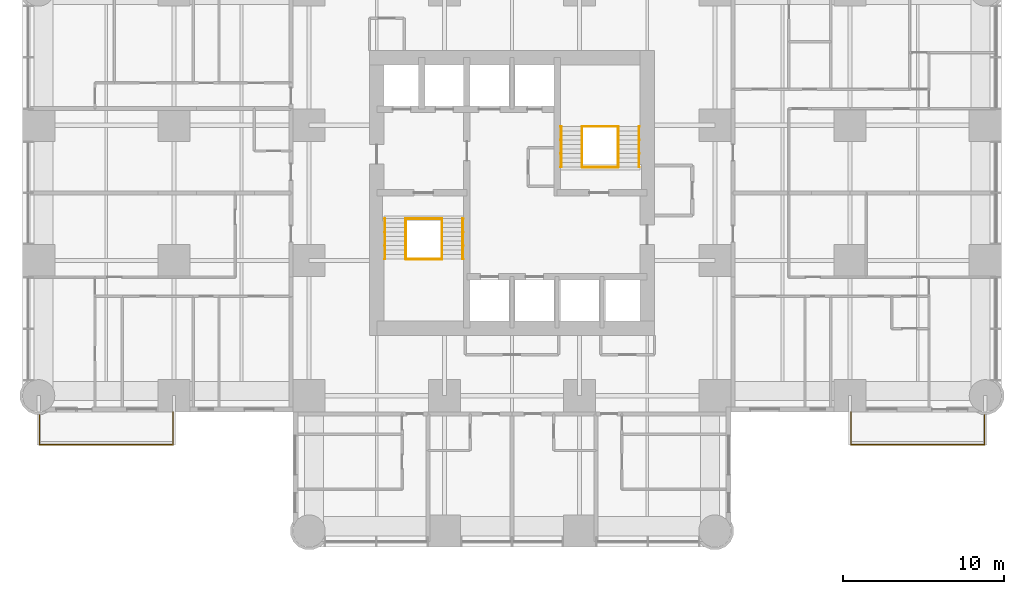
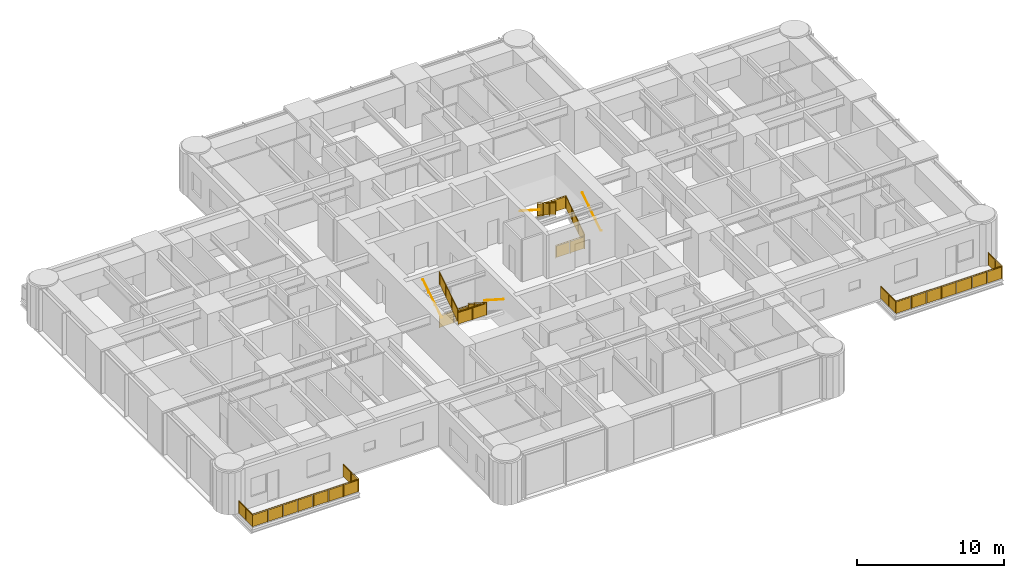
# One storey, part 13 of 14: 14 railings.
"""IFC4 building model written with IfcOpenShell, lengths in metres."""

from ifc_helpers import new_model, si_unit, direction, frame, origin, origin_2d, place, context, subcontext, project, spatial, polyline, circle, outline, extrude, material, constituent, constituent_set, type_object, element, save


model = new_model("IFC4")

# Units and contexts
model_context = context("Model", 3, precision=1e-05, world=origin(), true_north=direction((0.0, 1.0)))
body_context = subcontext(model_context, "Body", "Model", "MODEL_VIEW")
ifc_project = project(units=[si_unit("LENGTHUNIT", "METRE"), si_unit("AREAUNIT", "SQUARE_METRE"), si_unit("VOLUMEUNIT", "CUBIC_METRE"), si_unit("PLANEANGLEUNIT", "RADIAN"), si_unit("MASSUNIT", "GRAM", prefix="KILO")], contexts=[model_context])

# Site, building, storey
site_placement = place(None, origin())
site = spatial("IfcSite", under=ifc_project, at=site_placement, CompositionType="ELEMENT")
building_placement = place(site_placement, origin())
building = spatial("IfcBuilding", under=site, at=building_placement, Name="Torre Alcanfor", CompositionType="ELEMENT")
storey_placement = place(building_placement, frame((0.0, 0.0, 112.5)))
storey = spatial("IfcBuildingStorey", under=building, at=storey_placement, Name="L28", CompositionType="ELEMENT", Elevation=112.5)

# Railings
ifc_material_1 = material(Name="Laminated safety glass", Category="glass")
ifc_constituent_1 = constituent(ifc_material_1, Name="Infill")
ifc_material_2 = material(Name="Stainless steel ASTM A554 Grade MT 316L tube", Category="steel")
ifc_constituent_2 = constituent(ifc_material_2, Name="Posts and rail")
ifc_constituent_set = constituent_set(constituents=[ifc_constituent_1, ifc_constituent_2], Name="Balcony guard glass 1100")
railing_type_1 = type_object("IfcRailingType", Name="Balcony guard glass 1100", PredefinedType="BALUSTRADE", material=ifc_constituent_set)
railing_1_placement = place(storey_placement, frame((50.449951171875, 15.800048828125, 0.0)))
element("IfcRailing", 1, at=railing_1_placement, inside=storey, type_object=railing_type_1, Name="Balcony guard L28-E2", PredefinedType="BALUSTRADE", context=body_context, shape_type="SweptSolid", body=[
    extrude(circle(Radius=0.02392578125, at=origin_2d()), frame((0.0, 0.0, 1.076171875), z_axis=(0.0, -1.0, 0.0), x_axis=(1.0, 0.0, 0.0)), (0.0, 0.0, 1.0), 2.050048828125),
    extrude(circle(Radius=0.02392578125, at=origin_2d()), frame((0.0, -2.050048828125, 1.076171875), z_axis=(1.0, 0.0, 0.0), x_axis=(0.0, 1.0, 0.0)), (0.0, 0.0, 1.0), 8.300048828125),
    extrude(circle(Radius=0.02392578125, at=origin_2d()), frame((8.300048828125, -2.050048828125, 1.076171875), z_axis=(0.0, 1.0, 0.0), x_axis=(-1.0, 0.0, 0.0)), (0.0, 0.0, 1.0), 1.868896484375),
    extrude(circle(Radius=0.02099609375, at=origin_2d()), origin(), (0.0, 0.0, 1.0), 1.052001953125),
    extrude(circle(Radius=0.02099609375, at=origin_2d()), frame((0.0, -1.02490234375, 0.0)), (0.0, 0.0, 1.0), 1.052001953125),
    extrude(circle(Radius=0.02099609375, at=origin_2d()), frame((0.0, -2.050048828125, 0.0)), (0.0, 0.0, 1.0), 1.052001953125),
    extrude(circle(Radius=0.02099609375, at=origin_2d()), frame((1.185791015625, -2.050048828125, 0.0)), (0.0, 0.0, 1.0), 1.052001953125),
    extrude(circle(Radius=0.02099609375, at=origin_2d()), frame((2.371337890625, -2.050048828125, 0.0)), (0.0, 0.0, 1.0), 1.052001953125),
    extrude(circle(Radius=0.02099609375, at=origin_2d()), frame((3.55712890625, -2.050048828125, 0.0)), (0.0, 0.0, 1.0), 1.052001953125),
    extrude(circle(Radius=0.02099609375, at=origin_2d()), frame((4.742919921875, -2.050048828125, 0.0)), (0.0, 0.0, 1.0), 1.052001953125),
    extrude(circle(Radius=0.02099609375, at=origin_2d()), frame((5.9287109375, -2.050048828125, 0.0)), (0.0, 0.0, 1.0), 1.052001953125),
    extrude(circle(Radius=0.02099609375, at=origin_2d()), frame((7.1142578125, -2.050048828125, 0.0)), (0.0, 0.0, 1.0), 1.052001953125),
    extrude(circle(Radius=0.02099609375, at=origin_2d()), frame((8.300048828125, -2.050048828125, 0.0)), (0.0, 0.0, 1.0), 1.052001953125),
    extrude(circle(Radius=0.02099609375, at=origin_2d()), frame((8.300048828125, -1.11572265625, 0.0)), (0.0, 0.0, 1.0), 1.052001953125),
    extrude(circle(Radius=0.02099609375, at=origin_2d()), frame((8.300048828125, -0.18115234375, 0.0)), (0.0, 0.0, 1.0), 1.052001953125),
    extrude(outline(polyline([(0.041015625, 0.050048828125), (0.984130859375, 0.050048828125), (0.984130859375, 1.001953125), (0.041015625, 1.001953125), (0.041015625, 0.050048828125)])), frame((0.005859375, 0.0, 0.0), z_axis=(-1.0, 0.0, 0.0), x_axis=(0.0, -1.0, 0.0)), (0.0, 0.0, 1.0), 0.011962890625),
    extrude(outline(polyline([(1.06591796875, 0.050048828125), (2.009033203125, 0.050048828125), (2.009033203125, 1.001953125), (1.06591796875, 1.001953125), (1.06591796875, 0.050048828125)])), frame((0.005859375, 0.0, 0.0), z_axis=(-1.0, 0.0, 0.0), x_axis=(0.0, -1.0, 0.0)), (0.0, 0.0, 1.0), 0.011962890625),
    extrude(outline(polyline([(0.041015625, 0.050048828125), (1.144775390625, 0.050048828125), (1.144775390625, 1.001953125), (0.041015625, 1.001953125), (0.041015625, 0.050048828125)])), frame((0.0, -2.0439453125, 0.0), z_axis=(0.0, -1.0, 0.0), x_axis=(1.0, 0.0, 0.0)), (0.0, 0.0, 1.0), 0.011962890625),
    extrude(outline(polyline([(1.226806640625, 0.050048828125), (2.330322265625, 0.050048828125), (2.330322265625, 1.001953125), (1.226806640625, 1.001953125), (1.226806640625, 0.050048828125)])), frame((0.0, -2.0439453125, 0.0), z_axis=(0.0, -1.0, 0.0), x_axis=(1.0, 0.0, 0.0)), (0.0, 0.0, 1.0), 0.011962890625),
    extrude(outline(polyline([(2.412353515625, 0.050048828125), (3.51611328125, 0.050048828125), (3.51611328125, 1.001953125), (2.412353515625, 1.001953125), (2.412353515625, 0.050048828125)])), frame((0.0, -2.0439453125, 0.0), z_axis=(0.0, -1.0, 0.0), x_axis=(1.0, 0.0, 0.0)), (0.0, 0.0, 1.0), 0.011962890625),
    extrude(outline(polyline([(3.59814453125, 0.050048828125), (4.701904296875, 0.050048828125), (4.701904296875, 1.001953125), (3.59814453125, 1.001953125), (3.59814453125, 0.050048828125)])), frame((0.0, -2.0439453125, 0.0), z_axis=(0.0, -1.0, 0.0), x_axis=(1.0, 0.0, 0.0)), (0.0, 0.0, 1.0), 0.011962890625),
    extrude(outline(polyline([(4.783935546875, 0.050048828125), (5.8876953125, 0.050048828125), (5.8876953125, 1.001953125), (4.783935546875, 1.001953125), (4.783935546875, 0.050048828125)])), frame((0.0, -2.0439453125, 0.0), z_axis=(0.0, -1.0, 0.0), x_axis=(1.0, 0.0, 0.0)), (0.0, 0.0, 1.0), 0.011962890625),
    extrude(outline(polyline([(5.9697265625, 0.050048828125), (7.0732421875, 0.050048828125), (7.0732421875, 1.001953125), (5.9697265625, 1.001953125), (5.9697265625, 0.050048828125)])), frame((0.0, -2.0439453125, 0.0), z_axis=(0.0, -1.0, 0.0), x_axis=(1.0, 0.0, 0.0)), (0.0, 0.0, 1.0), 0.011962890625),
    extrude(outline(polyline([(7.1552734375, 0.050048828125), (8.259033203125, 0.050048828125), (8.259033203125, 1.001953125), (7.1552734375, 1.001953125), (7.1552734375, 0.050048828125)])), frame((0.0, -2.0439453125, 0.0), z_axis=(0.0, -1.0, 0.0), x_axis=(1.0, 0.0, 0.0)), (0.0, 0.0, 1.0), 0.011962890625),
    extrude(outline(polyline([(0.041015625, 0.050048828125), (0.8935546875, 0.050048828125), (0.8935546875, 1.001953125), (0.041015625, 1.001953125), (0.041015625, 0.050048828125)])), frame((8.2939453125, -2.050048828125, 0.0), z_axis=(1.0, 0.0, 0.0), x_axis=(0.0, 1.0, 0.0)), (0.0, 0.0, 1.0), 0.011962890625),
    extrude(outline(polyline([(0.975341796875, 0.050048828125), (1.827880859375, 0.050048828125), (1.827880859375, 1.001953125), (0.975341796875, 1.001953125), (0.975341796875, 0.050048828125)])), frame((8.2939453125, -2.050048828125, 0.0), z_axis=(1.0, 0.0, 0.0), x_axis=(0.0, 1.0, 0.0)), (0.0, 0.0, 1.0), 0.011962890625),
])
railing_2_placement = place(storey_placement, frame((8.35009765625, 15.800048828125, 0.0)))
element("IfcRailing", 2, at=railing_2_placement, inside=storey, type_object=railing_type_1, Name="Balcony guard L28-W1", PredefinedType="BALUSTRADE", context=body_context, shape_type="SweptSolid", body=[
    extrude(circle(Radius=0.02392578125, at=origin_2d()), frame((0.0, 0.0, 1.076171875), z_axis=(0.0, -1.0, 0.0), x_axis=(1.0, 0.0, 0.0)), (0.0, 0.0, 1.0), 2.050048828125),
    extrude(circle(Radius=0.02392578125, at=origin_2d()), frame((0.0, -2.050048828125, 1.076171875), z_axis=(-1.0, 0.0, 0.0), x_axis=(0.0, -1.0, 0.0)), (0.0, 0.0, 1.0), 8.300048828125),
    extrude(circle(Radius=0.02392578125, at=origin_2d()), frame((-8.300048828125, -2.050048828125, 1.076171875), z_axis=(0.0, 1.0, 0.0), x_axis=(-1.0, 0.0, 0.0)), (0.0, 0.0, 1.0), 1.868896484375),
    extrude(circle(Radius=0.02099609375, at=origin_2d()), origin(), (0.0, 0.0, 1.0), 1.052001953125),
    extrude(circle(Radius=0.02099609375, at=origin_2d()), frame((0.0, -1.02490234375, 0.0)), (0.0, 0.0, 1.0), 1.052001953125),
    extrude(circle(Radius=0.02099609375, at=origin_2d()), frame((0.0, -2.050048828125, 0.0)), (0.0, 0.0, 1.0), 1.052001953125),
    extrude(circle(Radius=0.02099609375, at=origin_2d()), frame((-1.185791015625, -2.050048828125, 0.0)), (0.0, 0.0, 1.0), 1.052001953125),
    extrude(circle(Radius=0.02099609375, at=origin_2d()), frame((-2.371337890625, -2.050048828125, 0.0)), (0.0, 0.0, 1.0), 1.052001953125),
    extrude(circle(Radius=0.02099609375, at=origin_2d()), frame((-3.55712890625, -2.050048828125, 0.0)), (0.0, 0.0, 1.0), 1.052001953125),
    extrude(circle(Radius=0.02099609375, at=origin_2d()), frame((-4.742919921875, -2.050048828125, 0.0)), (0.0, 0.0, 1.0), 1.052001953125),
    extrude(circle(Radius=0.02099609375, at=origin_2d()), frame((-5.9287109375, -2.050048828125, 0.0)), (0.0, 0.0, 1.0), 1.052001953125),
    extrude(circle(Radius=0.02099609375, at=origin_2d()), frame((-7.1142578125, -2.050048828125, 0.0)), (0.0, 0.0, 1.0), 1.052001953125),
    extrude(circle(Radius=0.02099609375, at=origin_2d()), frame((-8.300048828125, -2.050048828125, 0.0)), (0.0, 0.0, 1.0), 1.052001953125),
    extrude(circle(Radius=0.02099609375, at=origin_2d()), frame((-8.300048828125, -1.11572265625, 0.0)), (0.0, 0.0, 1.0), 1.052001953125),
    extrude(circle(Radius=0.02099609375, at=origin_2d()), frame((-8.300048828125, -0.18115234375, 0.0)), (0.0, 0.0, 1.0), 1.052001953125),
    extrude(outline(polyline([(0.041015625, 0.050048828125), (0.984130859375, 0.050048828125), (0.984130859375, 1.001953125), (0.041015625, 1.001953125), (0.041015625, 0.050048828125)])), frame((0.005859375, 0.0, 0.0), z_axis=(-1.0, 0.0, 0.0), x_axis=(0.0, -1.0, 0.0)), (0.0, 0.0, 1.0), 0.011962890625),
    extrude(outline(polyline([(1.06591796875, 0.050048828125), (2.009033203125, 0.050048828125), (2.009033203125, 1.001953125), (1.06591796875, 1.001953125), (1.06591796875, 0.050048828125)])), frame((0.005859375, 0.0, 0.0), z_axis=(-1.0, 0.0, 0.0), x_axis=(0.0, -1.0, 0.0)), (0.0, 0.0, 1.0), 0.011962890625),
    extrude(outline(polyline([(0.041015625, 0.050048828125), (1.144775390625, 0.050048828125), (1.144775390625, 1.001953125), (0.041015625, 1.001953125), (0.041015625, 0.050048828125)])), frame((0.0, -2.05615234375, 0.0), z_axis=(0.0, 1.0, 0.0), x_axis=(-1.0, 0.0, 0.0)), (0.0, 0.0, 1.0), 0.011962890625),
    extrude(outline(polyline([(1.226806640625, 0.050048828125), (2.330322265625, 0.050048828125), (2.330322265625, 1.001953125), (1.226806640625, 1.001953125), (1.226806640625, 0.050048828125)])), frame((0.0, -2.05615234375, 0.0), z_axis=(0.0, 1.0, 0.0), x_axis=(-1.0, 0.0, 0.0)), (0.0, 0.0, 1.0), 0.011962890625),
    extrude(outline(polyline([(2.412353515625, 0.050048828125), (3.51611328125, 0.050048828125), (3.51611328125, 1.001953125), (2.412353515625, 1.001953125), (2.412353515625, 0.050048828125)])), frame((0.0, -2.05615234375, 0.0), z_axis=(0.0, 1.0, 0.0), x_axis=(-1.0, 0.0, 0.0)), (0.0, 0.0, 1.0), 0.011962890625),
    extrude(outline(polyline([(3.59814453125, 0.050048828125), (4.701904296875, 0.050048828125), (4.701904296875, 1.001953125), (3.59814453125, 1.001953125), (3.59814453125, 0.050048828125)])), frame((0.0, -2.05615234375, 0.0), z_axis=(0.0, 1.0, 0.0), x_axis=(-1.0, 0.0, 0.0)), (0.0, 0.0, 1.0), 0.011962890625),
    extrude(outline(polyline([(4.783935546875, 0.050048828125), (5.8876953125, 0.050048828125), (5.8876953125, 1.001953125), (4.783935546875, 1.001953125), (4.783935546875, 0.050048828125)])), frame((0.0, -2.05615234375, 0.0), z_axis=(0.0, 1.0, 0.0), x_axis=(-1.0, 0.0, 0.0)), (0.0, 0.0, 1.0), 0.011962890625),
    extrude(outline(polyline([(5.9697265625, 0.050048828125), (7.0732421875, 0.050048828125), (7.0732421875, 1.001953125), (5.9697265625, 1.001953125), (5.9697265625, 0.050048828125)])), frame((0.0, -2.05615234375, 0.0), z_axis=(0.0, 1.0, 0.0), x_axis=(-1.0, 0.0, 0.0)), (0.0, 0.0, 1.0), 0.011962890625),
    extrude(outline(polyline([(7.1552734375, 0.050048828125), (8.259033203125, 0.050048828125), (8.259033203125, 1.001953125), (7.1552734375, 1.001953125), (7.1552734375, 0.050048828125)])), frame((0.0, -2.05615234375, 0.0), z_axis=(0.0, 1.0, 0.0), x_axis=(-1.0, 0.0, 0.0)), (0.0, 0.0, 1.0), 0.011962890625),
    extrude(outline(polyline([(0.041015625, 0.050048828125), (0.8935546875, 0.050048828125), (0.8935546875, 1.001953125), (0.041015625, 1.001953125), (0.041015625, 0.050048828125)])), frame((-8.30615234375, -2.050048828125, 0.0), z_axis=(1.0, 0.0, 0.0), x_axis=(0.0, 1.0, 0.0)), (0.0, 0.0, 1.0), 0.011962890625),
    extrude(outline(polyline([(0.975341796875, 0.050048828125), (1.827880859375, 0.050048828125), (1.827880859375, 1.001953125), (0.975341796875, 1.001953125), (0.975341796875, 0.050048828125)])), frame((-8.30615234375, -2.050048828125, 0.0), z_axis=(1.0, 0.0, 0.0), x_axis=(0.0, 1.0, 0.0)), (0.0, 0.0, 1.0), 0.011962890625),
])
ifc_material_3 = material(Name="Steel ASTM A500 Grade C hollow sections", Category="steel")
railing_type_2 = type_object("IfcRailingType", Name="Stair guard and handrail 1100", PredefinedType="GUARDRAIL", material=ifc_material_3)
railing_3_placement = place(storey_placement, frame((25.050048828125, 27.800048828125, 0.179931640625)))
element("IfcRailing", 3, at=railing_3_placement, inside=storey, type_object=railing_type_2, Name="Stair guard S1 L28 flight 1", PredefinedType="GUARDRAIL", context=body_context, shape_type="SweptSolid", body=[
    extrude(circle(Radius=0.02392578125, at=origin_2d()), frame((0.0, 0.0, 1.076171875), z_axis=(0.0, -0.841162588446, 0.540782303519), x_axis=(1.0, 0.0, 0.0)), (0.0, 0.0, 1.0), 2.995849609375),
    extrude(circle(Radius=0.02099609375, at=origin_2d()), origin(), (0.0, 0.0, 1.0), 1.052001953125),
    extrude(circle(Radius=0.02099609375, at=origin_2d()), frame((0.0, -0.840087890625, 0.5400390625)), (0.0, 0.0, 1.0), 1.052001953125),
    extrude(circle(Radius=0.02099609375, at=origin_2d()), frame((0.0, -1.679931640625, 1.080078125)), (0.0, 0.0, 1.0), 1.052001953125),
    extrude(circle(Radius=0.02099609375, at=origin_2d()), frame((0.0, -2.52001953125, 1.6201171875)), (0.0, 0.0, 1.0), 1.052001953125),
    extrude(outline(polyline([(0.041015625, 0.076416015625), (0.799072265625, 0.563720703125), (0.799072265625, 1.515625), (0.041015625, 1.0283203125), (0.041015625, 0.076416015625)])), frame((0.005859375, 0.0, 0.0), z_axis=(-1.0, 0.0, 0.0), x_axis=(0.0, -1.0, 0.0)), (0.0, 0.0, 1.0), 0.011962890625),
    extrude(outline(polyline([(0.881103515625, 0.616455078125), (1.638916015625, 1.103759765625), (1.638916015625, 2.0556640625), (0.881103515625, 1.568359375), (0.881103515625, 0.616455078125)])), frame((0.005859375, 0.0, 0.0), z_axis=(-1.0, 0.0, 0.0), x_axis=(0.0, -1.0, 0.0)), (0.0, 0.0, 1.0), 0.011962890625),
    extrude(outline(polyline([(1.720947265625, 1.156494140625), (2.47900390625, 1.643798828125), (2.47900390625, 2.595703125), (1.720947265625, 2.1083984375), (1.720947265625, 1.156494140625)])), frame((0.005859375, 0.0, 0.0), z_axis=(-1.0, 0.0, 0.0), x_axis=(0.0, -1.0, 0.0)), (0.0, 0.0, 1.0), 0.011962890625),
])
railing_4_placement = place(storey_placement, frame((22.800048828125, 25.280029296875, 1.97998046875)))
element("IfcRailing", 4, at=railing_4_placement, inside=storey, type_object=railing_type_2, Name="Stair guard S1 L28 flight 2", PredefinedType="GUARDRAIL", context=body_context, shape_type="SweptSolid", body=[
    extrude(circle(Radius=0.02392578125, at=origin_2d()), frame((0.0, 0.0, 1.076171875), z_axis=(0.0, 0.841162588446, 0.540782303519), x_axis=(-1.0, 0.0, 0.0)), (0.0, 0.0, 1.0), 2.995849609375),
    extrude(circle(Radius=0.02099609375, at=origin_2d()), origin(), (0.0, 0.0, 1.0), 1.052001953125),
    extrude(circle(Radius=0.02099609375, at=origin_2d()), frame((0.0, 0.840087890625, 0.5400390625)), (0.0, 0.0, 1.0), 1.052001953125),
    extrude(circle(Radius=0.02099609375, at=origin_2d()), frame((0.0, 1.679931640625, 1.080078125)), (0.0, 0.0, 1.0), 1.052001953125),
    extrude(circle(Radius=0.02099609375, at=origin_2d()), frame((0.0, 2.52001953125, 1.6201171875)), (0.0, 0.0, 1.0), 1.052001953125),
    extrude(outline(polyline([(0.041015625, 0.076416015625), (0.799072265625, 0.563720703125), (0.799072265625, 1.515625), (0.041015625, 1.0283203125), (0.041015625, 0.076416015625)])), frame((-0.005859375, 0.0, 0.0), z_axis=(1.0, 0.0, 0.0), x_axis=(0.0, 1.0, 0.0)), (0.0, 0.0, 1.0), 0.011962890625),
    extrude(outline(polyline([(0.881103515625, 0.616455078125), (1.638916015625, 1.103759765625), (1.638916015625, 2.0556640625), (0.881103515625, 1.568359375), (0.881103515625, 0.616455078125)])), frame((-0.005859375, 0.0, 0.0), z_axis=(1.0, 0.0, 0.0), x_axis=(0.0, 1.0, 0.0)), (0.0, 0.0, 1.0), 0.011962890625),
    extrude(outline(polyline([(1.720947265625, 1.156494140625), (2.47900390625, 1.643798828125), (2.47900390625, 2.595703125), (1.720947265625, 2.1083984375), (1.720947265625, 1.156494140625)])), frame((-0.005859375, 0.0, 0.0), z_axis=(1.0, 0.0, 0.0), x_axis=(0.0, 1.0, 0.0)), (0.0, 0.0, 1.0), 0.011962890625),
])
for number, where, name in (
    (5, (22.800048828125, 27.800048828125, 0.0), "Stair well guard S1 L28 floor landing"),
    (6, (22.800048828125, 25.280029296875, 1.800048828125), "Stair well guard S1 L28 half landing"),
):
    element("IfcRailing", number, at=place(storey_placement, frame(where)), inside=storey, type_object=railing_type_2, Name=name, PredefinedType="GUARDRAIL", context=body_context, shape_type="SweptSolid", body=[
        extrude(circle(Radius=0.02392578125, at=origin_2d()), frame((0.0, 0.0, 1.076171875), z_axis=(1.0, 0.0, 0.0), x_axis=(0.0, 1.0, 0.0)), (0.0, 0.0, 1.0), 2.25),
        extrude(circle(Radius=0.02099609375, at=origin_2d()), origin(), (0.0, 0.0, 1.0), 1.052001953125),
        extrude(circle(Radius=0.02099609375, at=origin_2d()), frame((1.125, 0.0, 0.0)), (0.0, 0.0, 1.0), 1.052001953125),
        extrude(circle(Radius=0.02099609375, at=origin_2d()), frame((2.25, 0.0, 0.0)), (0.0, 0.0, 1.0), 1.052001953125),
        extrude(outline(polyline([(0.041015625, 0.050048828125), (1.083984375, 0.050048828125), (1.083984375, 1.001953125), (0.041015625, 1.001953125), (0.041015625, 0.050048828125)])), frame((0.0, 0.005859375, 0.0), z_axis=(0.0, -1.0, 0.0), x_axis=(1.0, 0.0, 0.0)), (0.0, 0.0, 1.0), 0.011962890625),
        extrude(outline(polyline([(1.166015625, 0.050048828125), (2.208984375, 0.050048828125), (2.208984375, 1.001953125), (1.166015625, 1.001953125), (1.166015625, 0.050048828125)])), frame((0.0, 0.005859375, 0.0), z_axis=(0.0, -1.0, 0.0), x_axis=(1.0, 0.0, 0.0)), (0.0, 0.0, 1.0), 0.011962890625),
    ])
railing_5_placement = place(storey_placement, frame((36.0, 31.0, 0.179931640625)))
element("IfcRailing", 7, at=railing_5_placement, inside=storey, type_object=railing_type_2, Name="Stair guard S2 L28 flight 1", PredefinedType="GUARDRAIL", context=body_context, shape_type="SweptSolid", body=[
    extrude(circle(Radius=0.02392578125, at=origin_2d()), frame((0.0, 0.0, 1.076171875), z_axis=(0.0, 0.841162588446, 0.540782303519), x_axis=(-1.0, 0.0, 0.0)), (0.0, 0.0, 1.0), 2.995849609375),
    extrude(circle(Radius=0.02099609375, at=origin_2d()), origin(), (0.0, 0.0, 1.0), 1.052001953125),
    extrude(circle(Radius=0.02099609375, at=origin_2d()), frame((0.0, 0.840087890625, 0.5400390625)), (0.0, 0.0, 1.0), 1.052001953125),
    extrude(circle(Radius=0.02099609375, at=origin_2d()), frame((0.0, 1.679931640625, 1.080078125)), (0.0, 0.0, 1.0), 1.052001953125),
    extrude(circle(Radius=0.02099609375, at=origin_2d()), frame((0.0, 2.52001953125, 1.6201171875)), (0.0, 0.0, 1.0), 1.052001953125),
    extrude(outline(polyline([(0.041015625, 0.076416015625), (0.799072265625, 0.563720703125), (0.799072265625, 1.515625), (0.041015625, 1.0283203125), (0.041015625, 0.076416015625)])), frame((-0.005859375, 0.0, 0.0), z_axis=(1.0, 0.0, 0.0), x_axis=(0.0, 1.0, 0.0)), (0.0, 0.0, 1.0), 0.011962890625),
    extrude(outline(polyline([(0.881103515625, 0.616455078125), (1.638916015625, 1.103759765625), (1.638916015625, 2.0556640625), (0.881103515625, 1.568359375), (0.881103515625, 0.616455078125)])), frame((-0.005859375, 0.0, 0.0), z_axis=(1.0, 0.0, 0.0), x_axis=(0.0, 1.0, 0.0)), (0.0, 0.0, 1.0), 0.011962890625),
    extrude(outline(polyline([(1.720947265625, 1.156494140625), (2.47900390625, 1.643798828125), (2.47900390625, 2.595703125), (1.720947265625, 2.1083984375), (1.720947265625, 1.156494140625)])), frame((-0.005859375, 0.0, 0.0), z_axis=(1.0, 0.0, 0.0), x_axis=(0.0, 1.0, 0.0)), (0.0, 0.0, 1.0), 0.011962890625),
])
railing_6_placement = place(storey_placement, frame((33.75, 33.52001953125, 1.97998046875)))
element("IfcRailing", 8, at=railing_6_placement, inside=storey, type_object=railing_type_2, Name="Stair guard S2 L28 flight 2", PredefinedType="GUARDRAIL", context=body_context, shape_type="SweptSolid", body=[
    extrude(circle(Radius=0.02392578125, at=origin_2d()), frame((0.0, 0.0, 1.076171875), z_axis=(0.0, -0.841162588446, 0.540782303519), x_axis=(1.0, 0.0, 0.0)), (0.0, 0.0, 1.0), 2.995849609375),
    extrude(circle(Radius=0.02099609375, at=origin_2d()), origin(), (0.0, 0.0, 1.0), 1.052001953125),
    extrude(circle(Radius=0.02099609375, at=origin_2d()), frame((0.0, -0.840087890625, 0.5400390625)), (0.0, 0.0, 1.0), 1.052001953125),
    extrude(circle(Radius=0.02099609375, at=origin_2d()), frame((0.0, -1.679931640625, 1.080078125)), (0.0, 0.0, 1.0), 1.052001953125),
    extrude(circle(Radius=0.02099609375, at=origin_2d()), frame((0.0, -2.52001953125, 1.6201171875)), (0.0, 0.0, 1.0), 1.052001953125),
    extrude(outline(polyline([(0.041015625, 0.076416015625), (0.799072265625, 0.563720703125), (0.799072265625, 1.515625), (0.041015625, 1.0283203125), (0.041015625, 0.076416015625)])), frame((0.005859375, 0.0, 0.0), z_axis=(-1.0, 0.0, 0.0), x_axis=(0.0, -1.0, 0.0)), (0.0, 0.0, 1.0), 0.011962890625),
    extrude(outline(polyline([(0.881103515625, 0.616455078125), (1.638916015625, 1.103759765625), (1.638916015625, 2.0556640625), (0.881103515625, 1.568359375), (0.881103515625, 0.616455078125)])), frame((0.005859375, 0.0, 0.0), z_axis=(-1.0, 0.0, 0.0), x_axis=(0.0, -1.0, 0.0)), (0.0, 0.0, 1.0), 0.011962890625),
    extrude(outline(polyline([(1.720947265625, 1.156494140625), (2.47900390625, 1.643798828125), (2.47900390625, 2.595703125), (1.720947265625, 2.1083984375), (1.720947265625, 1.156494140625)])), frame((0.005859375, 0.0, 0.0), z_axis=(-1.0, 0.0, 0.0), x_axis=(0.0, -1.0, 0.0)), (0.0, 0.0, 1.0), 0.011962890625),
])
for number, where, name in (
    (9, (33.75, 31.0, 0.0), "Stair well guard S2 L28 floor landing"),
    (10, (33.75, 33.52001953125, 1.800048828125), "Stair well guard S2 L28 half landing"),
):
    element("IfcRailing", number, at=place(storey_placement, frame(where)), inside=storey, type_object=railing_type_2, Name=name, PredefinedType="GUARDRAIL", context=body_context, shape_type="SweptSolid", body=[
        extrude(circle(Radius=0.02392578125, at=origin_2d()), frame((0.0, 0.0, 1.076171875), z_axis=(1.0, 0.0, 0.0), x_axis=(0.0, 1.0, 0.0)), (0.0, 0.0, 1.0), 2.25),
        extrude(circle(Radius=0.02099609375, at=origin_2d()), origin(), (0.0, 0.0, 1.0), 1.052001953125),
        extrude(circle(Radius=0.02099609375, at=origin_2d()), frame((1.125, 0.0, 0.0)), (0.0, 0.0, 1.0), 1.052001953125),
        extrude(circle(Radius=0.02099609375, at=origin_2d()), frame((2.25, 0.0, 0.0)), (0.0, 0.0, 1.0), 1.052001953125),
        extrude(outline(polyline([(0.041015625, 0.050048828125), (1.083984375, 0.050048828125), (1.083984375, 1.001953125), (0.041015625, 1.001953125), (0.041015625, 0.050048828125)])), frame((0.0, 0.005859375, 0.0), z_axis=(0.0, -1.0, 0.0), x_axis=(1.0, 0.0, 0.0)), (0.0, 0.0, 1.0), 0.011962890625),
        extrude(outline(polyline([(1.166015625, 0.050048828125), (2.208984375, 0.050048828125), (2.208984375, 1.001953125), (1.166015625, 1.001953125), (1.166015625, 0.050048828125)])), frame((0.0, 0.005859375, 0.0), z_axis=(0.0, -1.0, 0.0), x_axis=(1.0, 0.0, 0.0)), (0.0, 0.0, 1.0), 0.011962890625),
    ])
ifc_material_4 = material(Name="Steel ASTM A500 Grade C hollow sections", Category="steel")
railing_type_3 = type_object("IfcRailingType", Name="Stair wall handrail 900", PredefinedType="HANDRAIL", material=ifc_material_4)
railing_7_placement = place(storey_placement, frame((26.3349609375, 27.800048828125, 0.179931640625)))
element("IfcRailing", 11, at=railing_7_placement, inside=storey, type_object=railing_type_3, Name="Stair handrail S1 L28 flight 1", PredefinedType="HANDRAIL", context=body_context, shape_type="SweptSolid", body=[
    extrude(circle(Radius=0.02392578125, at=origin_2d()), frame((0.0, 0.0, 0.8759765625), z_axis=(0.0, -0.841162588446, 0.540782303519), x_axis=(1.0, 0.0, 0.0)), (0.0, 0.0, 1.0), 2.995849609375),
    extrude(circle(Radius=0.008056640625, at=origin_2d()), frame((0.0, 0.0, 0.8759765625), z_axis=(1.0, 0.0, 0.0), x_axis=(0.0, 0.0, 1.0)), (0.0, 0.0, 1.0), 0.06494140625),
    extrude(circle(Radius=0.008056640625, at=origin_2d()), frame((0.0, -0.840087890625, 1.416015625), z_axis=(1.0, 0.0, 0.0), x_axis=(0.0, 0.0, 1.0)), (0.0, 0.0, 1.0), 0.06494140625),
    extrude(circle(Radius=0.008056640625, at=origin_2d()), frame((0.0, -1.679931640625, 1.9560546875), z_axis=(1.0, 0.0, 0.0), x_axis=(0.0, 0.0, 1.0)), (0.0, 0.0, 1.0), 0.06494140625),
    extrude(circle(Radius=0.008056640625, at=origin_2d()), frame((0.0, -2.52001953125, 2.49609375), z_axis=(1.0, 0.0, 0.0), x_axis=(0.0, 0.0, 1.0)), (0.0, 0.0, 1.0), 0.06494140625),
])
railing_8_placement = place(storey_placement, frame((21.514892578125, 25.280029296875, 1.97998046875)))
element("IfcRailing", 12, at=railing_8_placement, inside=storey, type_object=railing_type_3, Name="Stair handrail S1 L28 flight 2", PredefinedType="HANDRAIL", context=body_context, shape_type="SweptSolid", body=[
    extrude(circle(Radius=0.02392578125, at=origin_2d()), frame((0.0, 0.0, 0.8759765625), z_axis=(0.0, 0.841162588446, 0.540782303519), x_axis=(-1.0, 0.0, 0.0)), (0.0, 0.0, 1.0), 2.995849609375),
    extrude(circle(Radius=0.008056640625, at=origin_2d()), frame((0.0, 0.0, 0.8759765625), z_axis=(-1.0, 0.0, 0.0), x_axis=(0.0, 0.0, 1.0)), (0.0, 0.0, 1.0), 0.06494140625),
    extrude(circle(Radius=0.008056640625, at=origin_2d()), frame((0.0, 0.840087890625, 1.416015625), z_axis=(-1.0, 0.0, 0.0), x_axis=(0.0, 0.0, 1.0)), (0.0, 0.0, 1.0), 0.06494140625),
    extrude(circle(Radius=0.008056640625, at=origin_2d()), frame((0.0, 1.679931640625, 1.9560546875), z_axis=(-1.0, 0.0, 0.0), x_axis=(0.0, 0.0, 1.0)), (0.0, 0.0, 1.0), 0.06494140625),
    extrude(circle(Radius=0.008056640625, at=origin_2d()), frame((0.0, 2.52001953125, 2.49609375), z_axis=(-1.0, 0.0, 0.0), x_axis=(0.0, 0.0, 1.0)), (0.0, 0.0, 1.0), 0.06494140625),
])
railing_9_placement = place(storey_placement, frame((37.284912109375, 31.0, 0.179931640625)))
element("IfcRailing", 13, at=railing_9_placement, inside=storey, type_object=railing_type_3, Name="Stair handrail S2 L28 flight 1", PredefinedType="HANDRAIL", context=body_context, shape_type="SweptSolid", body=[
    extrude(circle(Radius=0.02392578125, at=origin_2d()), frame((0.0, 0.0, 0.8759765625), z_axis=(0.0, 0.841162588446, 0.540782303519), x_axis=(-1.0, 0.0, 0.0)), (0.0, 0.0, 1.0), 2.995849609375),
    extrude(circle(Radius=0.008056640625, at=origin_2d()), frame((0.0, 0.0, 0.8759765625), z_axis=(1.0, 0.0, 0.0), x_axis=(0.0, 0.0, 1.0)), (0.0, 0.0, 1.0), 0.06494140625),
    extrude(circle(Radius=0.008056640625, at=origin_2d()), frame((0.0, 0.840087890625, 1.416015625), z_axis=(1.0, 0.0, 0.0), x_axis=(0.0, 0.0, 1.0)), (0.0, 0.0, 1.0), 0.06494140625),
    extrude(circle(Radius=0.008056640625, at=origin_2d()), frame((0.0, 1.679931640625, 1.9560546875), z_axis=(1.0, 0.0, 0.0), x_axis=(0.0, 0.0, 1.0)), (0.0, 0.0, 1.0), 0.06494140625),
    extrude(circle(Radius=0.008056640625, at=origin_2d()), frame((0.0, 2.52001953125, 2.49609375), z_axis=(1.0, 0.0, 0.0), x_axis=(0.0, 0.0, 1.0)), (0.0, 0.0, 1.0), 0.06494140625),
])
railing_10_placement = place(storey_placement, frame((32.465087890625, 33.52001953125, 1.97998046875)))
element("IfcRailing", 14, at=railing_10_placement, inside=storey, type_object=railing_type_3, Name="Stair handrail S2 L28 flight 2", PredefinedType="HANDRAIL", context=body_context, shape_type="SweptSolid", body=[
    extrude(circle(Radius=0.02392578125, at=origin_2d()), frame((0.0, 0.0, 0.8759765625), z_axis=(0.0, -0.841162588446, 0.540782303519), x_axis=(1.0, 0.0, 0.0)), (0.0, 0.0, 1.0), 2.995849609375),
    extrude(circle(Radius=0.008056640625, at=origin_2d()), frame((0.0, 0.0, 0.8759765625), z_axis=(-1.0, 0.0, 0.0), x_axis=(0.0, 0.0, 1.0)), (0.0, 0.0, 1.0), 0.06494140625),
    extrude(circle(Radius=0.008056640625, at=origin_2d()), frame((0.0, -0.840087890625, 1.416015625), z_axis=(-1.0, 0.0, 0.0), x_axis=(0.0, 0.0, 1.0)), (0.0, 0.0, 1.0), 0.06494140625),
    extrude(circle(Radius=0.008056640625, at=origin_2d()), frame((0.0, -1.679931640625, 1.9560546875), z_axis=(-1.0, 0.0, 0.0), x_axis=(0.0, 0.0, 1.0)), (0.0, 0.0, 1.0), 0.06494140625),
    extrude(circle(Radius=0.008056640625, at=origin_2d()), frame((0.0, -2.52001953125, 2.49609375), z_axis=(-1.0, 0.0, 0.0), x_axis=(0.0, 0.0, 1.0)), (0.0, 0.0, 1.0), 0.06494140625),
])

save(model, "model.ifc")
